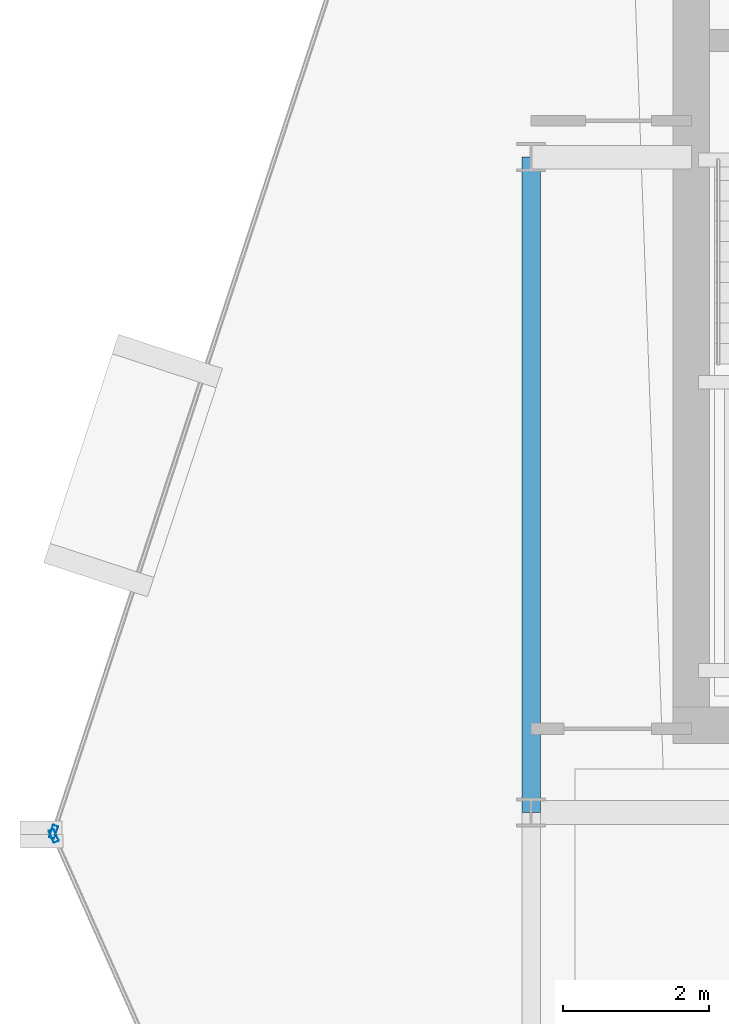
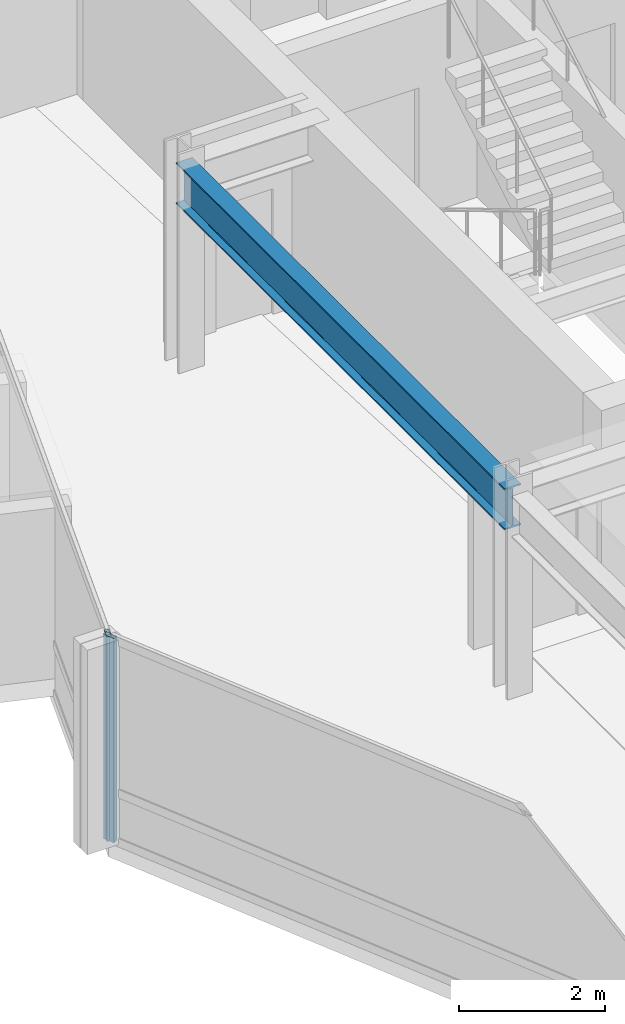
# One storey, part 6 of 27: 2 members, 1 beam, 2 elements without a shape of their own.
"""IFC4 building model written with IfcOpenShell, lengths in metres."""

from ifc_helpers import new_model, si_unit, direction, frame, origin, origin_2d, place, context, subcontext, project, spatial, hollow_rectangle, i_section, extrude, material, layer, layer_set, material_profile, profile_set, type_object, element, aggregate, save


model = new_model("IFC4")

# Units and contexts
model_context = context("Model", 3, precision=1e-05, world=origin(), true_north=direction((0.0, 1.0)))
body_context = subcontext(model_context, "Body", "Model", "MODEL_VIEW")
ifc_project = project(units=[si_unit("LENGTHUNIT", "METRE"), si_unit("AREAUNIT", "SQUARE_METRE"), si_unit("VOLUMEUNIT", "CUBIC_METRE"), si_unit("PLANEANGLEUNIT", "RADIAN"), si_unit("MASSUNIT", "GRAM", prefix="KILO")], contexts=[model_context])

# Site, building, storey
site_placement = place(None, origin())
site = spatial("IfcSite", under=ifc_project, at=site_placement, CompositionType="ELEMENT")
building_placement = place(site_placement, origin())
building = spatial("IfcBuilding", under=site, at=building_placement, Name="Solvaryn Broadcast Tower", CompositionType="ELEMENT")
storey_placement = place(building_placement, frame((0.0, 0.0, 221.0)))
storey = spatial("IfcBuildingStorey", under=building, at=storey_placement, Name="L55", CompositionType="ELEMENT", Elevation=221.0)

# Beam
ifc_material_1 = material(Name="Steel ASTM A992 Grade 50", Category="steel")
ifc_material_profile_1 = material_profile(ifc_material_1, i_section(OverallWidth=0.256103515625, OverallDepth=0.693115234375, WebThickness=0.014404296875, FlangeThickness=0.023681640625, FilletRadius=0.01611328125, at=origin_2d()))
ifc_profile_set_1 = profile_set([ifc_material_profile_1], Name="Steel ASTM A992 Grade 50")
beam_type = type_object("IfcBeamType", Name="BM-SP3-W27X114", PredefinedType="USERDEFINED", material=ifc_profile_set_1)
beam_placement = place(storey_placement, frame((9.0, 27.0, 3.073486328125), z_axis=(0.0, 1.0, 0.0), x_axis=(-1.0, 0.0, 0.0)))
element("IfcBeam", 1, at=beam_placement, inside=storey, type_object=beam_type, Name="L55 Spandrel Beam Y (27-36 @ X=9)", ObjectType="SPANDREL", PredefinedType="USERDEFINED", context=body_context, shape_type="SweptSolid", body=[
    extrude(i_section(OverallWidth=0.256103515625, OverallDepth=0.693115234375, WebThickness=0.014404296875, FlangeThickness=0.023681640625, FilletRadius=0.01611328125, at=origin_2d()), origin(), (0.0, 0.0, 1.0), 9.0),
])

# Curtain wall, member
ifc_material_2 = material(Name="Aluminium and Terracotta Unitised Curtain Wall", Category="masonry")
ifc_layer_1 = layer(ifc_material_2, 0.199951171875)
ifc_layer_set_1 = layer_set([ifc_layer_1], Name="CW-SYS2-LOWMID")
curtain_wall_type_1 = type_object("IfcCurtainWallType", Name="CW-SYS2-LOWMID", PredefinedType="NOTDEFINED", material=ifc_layer_set_1)
curtain_wall_1_placement = place(storey_placement, origin())
curtain_wall_1 = element("IfcCurtainWall", 2, at=curtain_wall_1_placement, inside=storey, type_object=curtain_wall_type_1, Name="L55 Curtain Wall DR1", PredefinedType="NOTDEFINED")
ifc_material_3 = material(Name="Anodised Aluminium 6063-T6", Category="aluminium")
ifc_material_profile_2 = material_profile(ifc_material_3, hollow_rectangle(XDim=0.074951171875, YDim=0.179931640625, WallThickness=0.00390625, InnerFilletRadius=0.00390625, OuterFilletRadius=0.008056640625, at=origin_2d()))
ifc_profile_set_2 = profile_set([ifc_material_profile_2], Name="Anodised Aluminium 6063-T6")
member_type = type_object("IfcMemberType", Name="CW-MUL-180", PredefinedType="MULLION", material=ifc_profile_set_2)
member_1_placement = place(storey_placement, frame((2.4423828125, 26.734619140625, 0.0), z_axis=(0.0, 0.0, 1.0), x_axis=(0.950226902099, -0.311558717623, 0.0)))
member_1 = element("IfcMember", 3, at=member_1_placement, type_object=member_type, Name="CWS2 mullion 2", PredefinedType="MULLION", context=body_context, shape_type="SweptSolid", body=[
    extrude(hollow_rectangle(XDim=0.074951171875, YDim=0.179931640625, WallThickness=0.00390625, InnerFilletRadius=0.00390625, OuterFilletRadius=0.008056640625, at=origin_2d()), origin(), (0.0, 0.0, 1.0), 3.419921875),
])
aggregate(curtain_wall_1, [member_1])

ifc_material_4 = material(Name="Aluminium and Terracotta Unitised Curtain Wall", Category="masonry")
ifc_layer_2 = layer(ifc_material_4, 0.239990234375)
ifc_layer_set_2 = layer_set([ifc_layer_2], Name="CW-SYS3-BAYBOX")
curtain_wall_type_2 = type_object("IfcCurtainWallType", Name="CW-SYS3-BAYBOX", PredefinedType="NOTDEFINED", material=ifc_layer_set_2)
curtain_wall_2_placement = place(storey_placement, origin())
curtain_wall_2 = element("IfcCurtainWall", 4, at=curtain_wall_2_placement, inside=storey, type_object=curtain_wall_type_2, Name="L55 Curtain Wall DR2", PredefinedType="NOTDEFINED")
member_2_placement = place(storey_placement, frame((2.445068359375, 26.678466796875, 0.0), z_axis=(0.0, 0.0, 1.0), x_axis=(0.913916902365, 0.405901337237, 0.0)))
member_2 = element("IfcMember", 5, at=member_2_placement, type_object=member_type, Name="CWS3 mullion 1", PredefinedType="MULLION", context=body_context, shape_type="SweptSolid", body=[
    extrude(hollow_rectangle(XDim=0.074951171875, YDim=0.179931640625, WallThickness=0.00390625, InnerFilletRadius=0.00390625, OuterFilletRadius=0.008056640625, at=origin_2d()), origin(), (0.0, 0.0, 1.0), 3.419921875),
])
aggregate(curtain_wall_2, [member_2])

save(model, "model.ifc")
